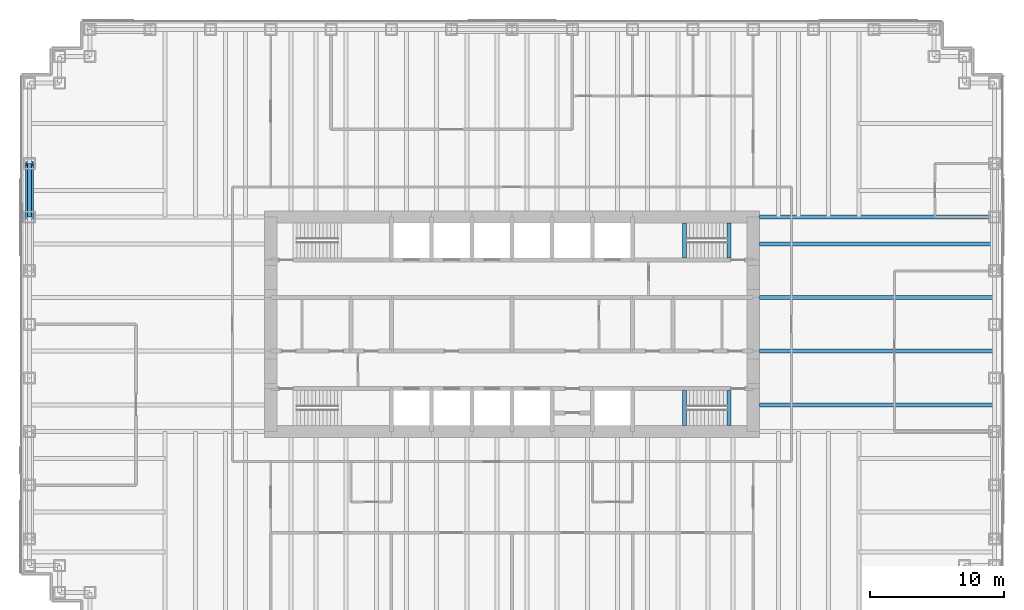
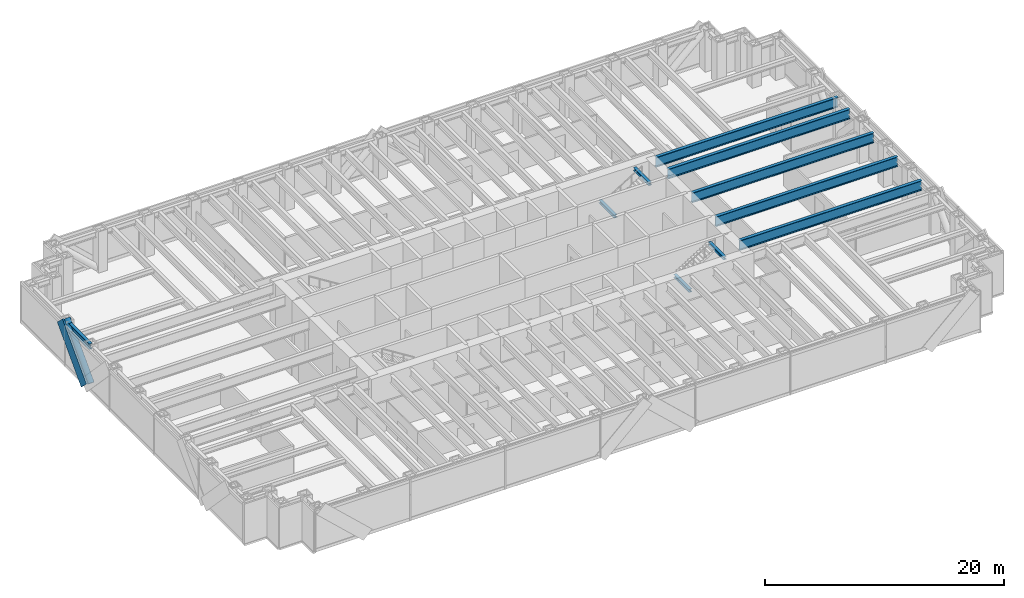
# One storey, part 5 of 15: 10 beams, 2 members, 1 element without a shape of its own.
"""IFC4 building model written with IfcOpenShell, lengths in metres."""

from ifc_helpers import new_model, si_unit, direction, frame, origin, origin_2d, place, context, subcontext, project, spatial, rectangle, hollow_circle, i_section, extrude, material, material_profile, profile_set, type_object, element, aggregate, save


model = new_model("IFC4")

# Units and contexts
model_context = context("Model", 3, precision=1e-05, world=origin(), true_north=direction((0.0, 1.0)))
body_context = subcontext(model_context, "Body", "Model", "MODEL_VIEW")
ifc_project = project(units=[si_unit("LENGTHUNIT", "METRE"), si_unit("AREAUNIT", "SQUARE_METRE"), si_unit("VOLUMEUNIT", "CUBIC_METRE"), si_unit("PLANEANGLEUNIT", "RADIAN"), si_unit("MASSUNIT", "GRAM", prefix="KILO")], contexts=[model_context])

# Site, building, storey
site_placement = place(None, origin())
site = spatial("IfcSite", under=ifc_project, at=site_placement, CompositionType="ELEMENT")
building_placement = place(site_placement, origin())
building = spatial("IfcBuilding", under=site, at=building_placement, Name="Rheinbord Bourse Tower", CompositionType="ELEMENT")
storey_placement = place(building_placement, frame((0.0, 0.0, 150.89990234375)))
storey = spatial("IfcBuildingStorey", under=building, at=storey_placement, Name="L33", CompositionType="ELEMENT", Elevation=150.89990234375)

# Curtain wall, member
ifc_material_1 = material(Name="Dark glass and black aluminium", Category="aluminium")
curtain_wall_type = type_object("IfcCurtainWallType", Name="CW2 DARK GLASS CURTAIN WALL", PredefinedType="USERDEFINED", material=ifc_material_1)
curtain_wall_placement = place(storey_placement, origin())
curtain_wall = element("IfcCurtainWall", 1, at=curtain_wall_placement, inside=storey, type_object=curtain_wall_type, Name="Curtain wall CW2 W L33", ObjectType="UNITISED CURTAIN WALL", PredefinedType="USERDEFINED")
ifc_material_2 = material(Name="Black anodised aluminium", Category="aluminium")
ifc_material_profile_1 = material_profile(ifc_material_2, rectangle(XDim=0.159912109375, YDim=1.2099609375, at=origin_2d()), Name="CW2 DIAGONAL MULLION 1210x160")
ifc_profile_set_1 = profile_set([ifc_material_profile_1], Name="Black anodised aluminium")
member_type_1 = type_object("IfcMemberType", Name="CW2 BLACK DIAGONAL MULLION", PredefinedType="USERDEFINED", material=ifc_profile_set_1)
member_1_placement = place(storey_placement, frame((-0.60009765625, 32.0, 0.0), z_axis=(0.0, 0.689638355374, 0.72415394689), x_axis=(-1.0, 0.0, 0.0)))
member_1 = element("IfcMember", 2, at=member_1_placement, type_object=member_type_1, Name="CW2 diagonal mullion b", ObjectType="DIAGONAL MULLION", PredefinedType="USERDEFINED", context=body_context, shape_type="SweptSolid", body=[
    extrude(rectangle(XDim=0.159912109375, YDim=1.2099609375, at=origin_2d()), origin(), (0.0, 0.0, 1.0), 5.800048828125),
])
aggregate(curtain_wall, [member_1])

# Beams
ifc_material_3 = material(Name="Steel S460", Category="steel")
ifc_material_profile_2 = material_profile(ifc_material_3, i_section(OverallWidth=0.302001953125, OverallDepth=1.008056640625, WebThickness=0.02099609375, FlangeThickness=0.0400390625, at=origin_2d()), Name="HEM 1000")
ifc_profile_set_2 = profile_set([ifc_material_profile_2], Name="Steel S460")
beam_type_1 = type_object("IfcBeamType", Name="END BEAM HEM 1000", PredefinedType="BEAM", material=ifc_profile_set_2)
for number, where, z_axis, x_axis, name in (
    (3, (54.449951171875, 18.0, 3.5361328125), (1.0, 0.0, 0.0), (0.0, 1.0, 0.0), "End beam east 18 L34"),
    (4, (54.449951171875, 22.0, 3.5361328125), (1.0, 0.0, 0.0), (0.0, 1.0, 0.0), "End beam east 22 L34"),
    (5, (54.449951171875, 26.0, 3.5361328125), (1.0, 0.0, 0.0), (0.0, 1.0, 0.0), "End beam east 26 L34"),
    (6, (54.449951171875, 30.0, 3.5361328125), (1.0, 0.0, 0.0), (0.0, 1.0, 0.0), "End beam east 30 L34"),
):
    element("IfcBeam", number, at=place(storey_placement, frame(where, z_axis=z_axis, x_axis=x_axis)), inside=storey, type_object=beam_type_1, Name=name, PredefinedType="BEAM", context=body_context, shape_type="SweptSolid", body=[
        extrude(i_section(OverallWidth=0.302001953125, OverallDepth=1.008056640625, WebThickness=0.02099609375, FlangeThickness=0.0400390625, at=origin_2d()), origin(), (0.0, 0.0, 1.0), 17.550048828125),
    ])
ifc_material_4 = material(Name="Steel S460", Category="steel")
ifc_material_profile_3 = material_profile(ifc_material_4, i_section(OverallWidth=0.302001953125, OverallDepth=1.008056640625, WebThickness=0.02099609375, FlangeThickness=0.0400390625, at=origin_2d()), Name="HEM 1000")
ifc_profile_set_3 = profile_set([ifc_material_profile_3], Name="Steel S460")
beam_type_2 = type_object("IfcBeamType", Name="GIRDER HEM 1000", PredefinedType="BEAM", material=ifc_profile_set_3)
beam_1_placement = place(storey_placement, frame((54.449951171875, 32.0, 3.5361328125), z_axis=(1.0, 0.0, 0.0), x_axis=(0.0, 1.0, 0.0)))
element("IfcBeam", 7, at=beam_1_placement, inside=storey, type_object=beam_type_2, Name="Girder east 32 L34", PredefinedType="BEAM", context=body_context, shape_type="SweptSolid", body=[
    extrude(i_section(OverallWidth=0.302001953125, OverallDepth=1.008056640625, WebThickness=0.02099609375, FlangeThickness=0.0400390625, at=origin_2d()), origin(), (0.0, 0.0, 1.0), 17.550048828125),
])
ifc_material_5 = material(Name="Steel S460", Category="steel")
ifc_material_profile_4 = material_profile(ifc_material_5, i_section(OverallWidth=0.300048828125, OverallDepth=0.300048828125, WebThickness=0.010986328125, FlangeThickness=0.01904296875, at=origin_2d()), Name="HEB 300")
ifc_profile_set_4 = profile_set([ifc_material_profile_4], Name="Steel S460")
beam_type_3 = type_object("IfcBeamType", Name="LANDING TRIMMER HEB 300", PredefinedType="BEAM", material=ifc_profile_set_4)
for number, where, z_axis, x_axis, name in (
    (8, (48.8701171875, 16.449951171875, 1.75), (0.0, 1.0, 0.0), (-1.0, 0.0, 0.0), "Landing trimmer ST3 L33"),
    (9, (52.199951171875, 16.449951171875, 3.89013671875), (0.0, 1.0, 0.0), (-1.0, 0.0, 0.0), "Well trimmer ST3 under L34"),
    (10, (48.8701171875, 28.949951171875, 1.75), (0.0, 1.0, 0.0), (-1.0, 0.0, 0.0), "Landing trimmer ST4 L33"),
    (11, (52.199951171875, 28.949951171875, 3.89013671875), (0.0, 1.0, 0.0), (-1.0, 0.0, 0.0), "Well trimmer ST4 under L34"),
):
    element("IfcBeam", number, at=place(storey_placement, frame(where, z_axis=z_axis, x_axis=x_axis)), inside=storey, type_object=beam_type_3, Name=name, PredefinedType="BEAM", context=body_context, shape_type="SweptSolid", body=[
        extrude(i_section(OverallWidth=0.300048828125, OverallDepth=0.300048828125, WebThickness=0.010986328125, FlangeThickness=0.01904296875, at=origin_2d()), origin(), (0.0, 0.0, 1.0), 2.60009765625),
    ])

# Member
ifc_material_6 = material(Name="Steel S460", Category="steel")
ifc_material_profile_5 = material_profile(ifc_material_6, hollow_circle(Radius=0.304931640625, WallThickness=0.0400390625, at=origin_2d()), Name="CHS 610x40")
ifc_profile_set_5 = profile_set([ifc_material_profile_5], Name="Steel S460")
member_type_2 = type_object("IfcMemberType", Name="MEGABRACE CHS 610x40", PredefinedType="BRACE", material=ifc_profile_set_5)
member_2_placement = place(storey_placement, frame((0.0, 32.0, 0.0), z_axis=(0.0, 0.689638355374, 0.72415394689), x_axis=(-1.0, 0.0, 0.0)))
element("IfcMember", 12, at=member_2_placement, inside=storey, type_object=member_type_2, Name="Megabrace W face line b L33", PredefinedType="BRACE", context=body_context, shape_type="SweptSolid", body=[
    extrude(hollow_circle(Radius=0.304931640625, WallThickness=0.0400390625, at=origin_2d()), origin(), (0.0, 0.0, 1.0), 5.800048828125),
])

# Beam
ifc_material_7 = material(Name="Steel S460", Category="steel")
ifc_material_profile_6 = material_profile(ifc_material_7, i_section(OverallWidth=0.305908203125, OverallDepth=0.572021484375, WebThickness=0.02099609375, FlangeThickness=0.0400390625, at=origin_2d()), Name="HEM 550")
ifc_profile_set_6 = profile_set([ifc_material_profile_6], Name="Steel S460")
beam_type_4 = type_object("IfcBeamType", Name="SPANDREL HEM 550", PredefinedType="SPANDREL", material=ifc_profile_set_6)
beam_2_placement = place(storey_placement, frame((0.0, 36.0, 3.754150390625), z_axis=(0.0, -1.0, 0.0), x_axis=(1.0, 0.0, 0.0)))
element("IfcBeam", 13, at=beam_2_placement, inside=storey, type_object=beam_type_4, Name="Spandrel W-36-W-32 under L34", PredefinedType="SPANDREL", context=body_context, shape_type="SweptSolid", body=[
    extrude(i_section(OverallWidth=0.305908203125, OverallDepth=0.572021484375, WebThickness=0.02099609375, FlangeThickness=0.0400390625, at=origin_2d()), origin(), (0.0, 0.0, 1.0), 4.0),
])

save(model, "model.ifc")
